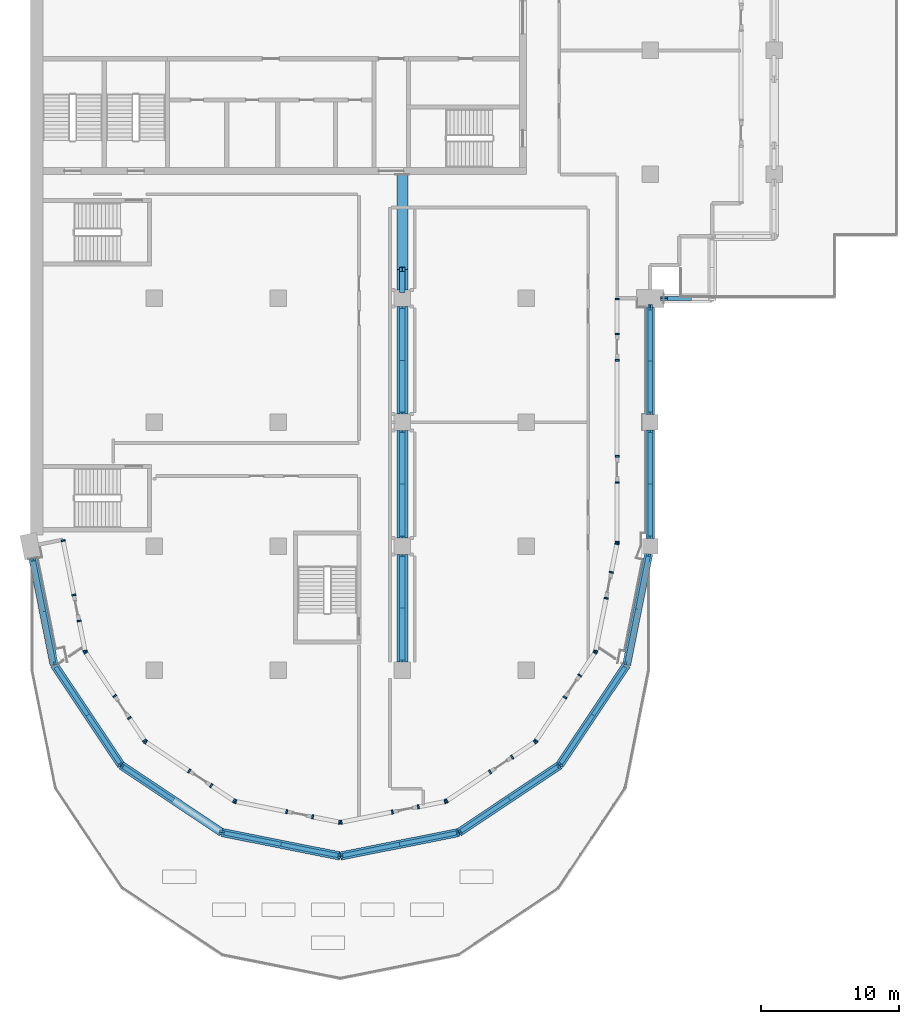
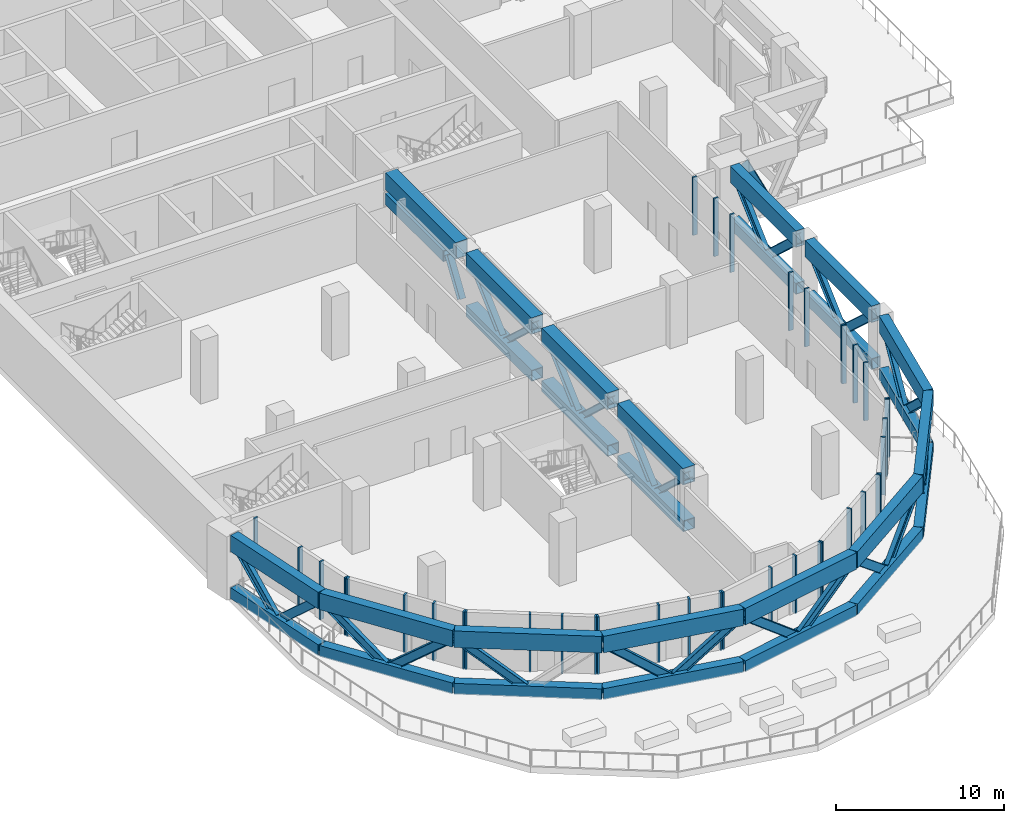
# One storey, part 2 of 20: 93 members.
"""IFC4 building model written with IfcOpenShell, lengths in metres."""

from ifc_helpers import new_model, si_unit, direction, frame, origin, origin_2d, place, context, subcontext, project, spatial, rectangle, hollow_rectangle, i_section, extrude, material, material_profile, profile_set, type_object, element, save


model = new_model("IFC4")

# Units and contexts
model_context = context("Model", 3, precision=1e-05, world=origin(), true_north=direction((0.0, 1.0)))
body_context = subcontext(model_context, "Body", "Model", "MODEL_VIEW")
ifc_project = project(units=[si_unit("LENGTHUNIT", "METRE"), si_unit("AREAUNIT", "SQUARE_METRE"), si_unit("VOLUMEUNIT", "CUBIC_METRE"), si_unit("PLANEANGLEUNIT", "RADIAN"), si_unit("MASSUNIT", "GRAM", prefix="KILO")], contexts=[model_context])

# Site, building, storey
site_placement = place(None, origin())
site = spatial("IfcSite", under=ifc_project, at=site_placement, CompositionType="ELEMENT")
building_placement = place(site_placement, origin())
building = spatial("IfcBuilding", under=site, at=building_placement, Name="Hunhe Ridgeline Campus", CompositionType="ELEMENT")
storey_placement = place(building_placement, frame((0.0, 0.0, 178.199951171875)))
storey = spatial("IfcBuildingStorey", under=building, at=storey_placement, Name="L45", CompositionType="ELEMENT", Elevation=178.199951171875)

# Members
ifc_material_1 = material(Name="Steel Q420", Category="steel")
ifc_material_profile_1 = material_profile(ifc_material_1, hollow_rectangle(XDim=0.60009765625, YDim=0.800048828125, WallThickness=0.035888671875, at=origin_2d()))
ifc_profile_set_1 = profile_set([ifc_material_profile_1], Name="Steel Q420")
member_type_1 = type_object("IfcMemberType", Name="Belt truss bottom chord Box 800x600x36 Steel Q420", PredefinedType="CHORD", material=ifc_profile_set_1)
member_1_placement = place(storey_placement, frame((0.175537109375, 35.1171875, 0.400146484375), z_axis=(0.195091089482, -0.980785127744, 0.0), x_axis=(0.980785127744, 0.195091089482, 0.0)))
element("IfcMember", 1, at=member_1_placement, inside=storey, type_object=member_type_1, Name="Belt truss BT1 bottom chord L45 2", PredefinedType="CHORD", context=body_context, shape_type="SweptSolid", body=[
    extrude(hollow_rectangle(XDim=0.60009765625, YDim=0.800048828125, WallThickness=0.035888671875, at=origin_2d()), origin(), (0.0, 0.0, 1.0), 7.87890625),
])
for number, where, z_axis, x_axis, name in (
    (2, (1.712646484375, 27.3896484375, 0.400146484375), (0.555572672849, -0.831467982056, 0.0), (0.831467982056, 0.555572672849, 0.0), "Belt truss BT1 bottom chord L45 6"),
    (3, (6.590087890625, 20.090087890625, 0.400146484375), (0.831467982056, -0.555572672849, 0.0), (0.555572672849, 0.831467982056, 0.0), "Belt truss BT1 bottom chord L45 10"),
    (4, (13.8896484375, 15.212646484375, 0.400146484375), (0.980786564756, -0.195083865027, 0.0), (0.195083865027, 0.980786564756, 0.0), "Belt truss BT1 bottom chord L45 14"),
    (5, (22.5, 13.5, 0.400146484375), (0.980786564756, 0.195083865027, 0.0), (-0.195083865027, 0.980786564756, 0.0), "Belt truss BT1 bottom chord L45 18"),
    (6, (31.1103515625, 15.212646484375, 0.400146484375), (0.831467982056, 0.555572672849, 0.0), (-0.555572672849, 0.831467982056, 0.0), "Belt truss BT1 bottom chord L45 22"),
    (7, (38.409912109375, 20.090087890625, 0.400146484375), (0.555572672849, 0.831467982056, 0.0), (-0.831467982056, 0.555572672849, 0.0), "Belt truss BT1 bottom chord L45 26"),
):
    element("IfcMember", number, at=place(storey_placement, frame(where, z_axis=z_axis, x_axis=x_axis)), inside=storey, type_object=member_type_1, Name=name, PredefinedType="CHORD", context=body_context, shape_type="SweptSolid", body=[
        extrude(hollow_rectangle(XDim=0.60009765625, YDim=0.800048828125, WallThickness=0.035888671875, at=origin_2d()), origin(), (0.0, 0.0, 1.0), 8.779052734375),
    ])
member_2_placement = place(storey_placement, frame((43.287353515625, 27.3896484375, 0.400146484375), z_axis=(0.195087698424, 0.980785802264, 0.0), x_axis=(-0.980785802264, 0.195087698424, 0.0)))
element("IfcMember", 8, at=member_2_placement, inside=storey, type_object=member_type_1, Name="Belt truss BT1 bottom chord L45 30", PredefinedType="CHORD", context=body_context, shape_type="SweptSolid", body=[
    extrude(hollow_rectangle(XDim=0.60009765625, YDim=0.800048828125, WallThickness=0.035888671875, at=origin_2d()), origin(), (0.0, 0.0, 1.0), 8.21826171875),
])
member_3_placement = place(storey_placement, frame((45.0, 36.550048828125, 0.400146484375), z_axis=(0.0, 1.0, 0.0), x_axis=(-1.0, 0.0, 0.0)))
element("IfcMember", 9, at=member_3_placement, inside=storey, type_object=member_type_1, Name="Belt truss BT1 bottom chord L45 34", PredefinedType="CHORD", context=body_context, shape_type="SweptSolid", body=[
    extrude(hollow_rectangle(XDim=0.60009765625, YDim=0.800048828125, WallThickness=0.035888671875, at=origin_2d()), origin(), (0.0, 0.0, 1.0), 7.89990234375),
])
member_4_placement = place(storey_placement, frame((45.0, 45.550048828125, 0.400146484375), z_axis=(0.0, 1.0, 0.0), x_axis=(-1.0, 0.0, 0.0)))
element("IfcMember", 10, at=member_4_placement, inside=storey, type_object=member_type_1, Name="Belt truss BT1 bottom chord L45 38", PredefinedType="CHORD", context=body_context, shape_type="SweptSolid", body=[
    extrude(hollow_rectangle(XDim=0.60009765625, YDim=0.800048828125, WallThickness=0.035888671875, at=origin_2d()), origin(), (0.0, 0.0, 1.0), 7.800048828125),
])
ifc_material_profile_2 = material_profile(ifc_material_1, i_section(OverallWidth=0.300048828125, OverallDepth=0.58203125, WebThickness=0.011962890625, FlangeThickness=0.01708984375, FilletRadius=0.012939453125, at=origin_2d()))
ifc_profile_set_2 = profile_set([ifc_material_profile_2], Name="Steel Q420")
member_type_2 = type_object("IfcMemberType", Name="Belt truss diagonal HM582x300x12x17 Steel Q420", PredefinedType="BRACE", material=ifc_profile_set_2)
for number, where, z_axis, x_axis, name in (
    (11, (0.175537109375, 35.1171875, 4.0), (0.144018228989, -0.724025569243, -0.674570770788), (0.980785127744, 0.195091089482, 0.0), "Belt truss BT1 diagonal L45 3"),
    (12, (0.944091796875, 31.25341796875, 0.400146484375), (0.144018228989, -0.724025569243, 0.674570770788), (0.980785127744, 0.195091089482, 0.0), "Belt truss BT1 diagonal L45 4"),
):
    element("IfcMember", number, at=place(storey_placement, frame(where, z_axis=z_axis, x_axis=x_axis)), inside=storey, type_object=member_type_2, Name=name, PredefinedType="BRACE", context=body_context, shape_type="SweptSolid", body=[
        extrude(i_section(OverallWidth=0.300048828125, OverallDepth=0.58203125, WebThickness=0.011962890625, FlangeThickness=0.01708984375, FilletRadius=0.012939453125, at=origin_2d()), origin(), (0.0, 0.0, 1.0), 5.33642578125),
    ])
member_5_placement = place(storey_placement, frame((1.712646484375, 27.3896484375, 4.0), z_axis=(0.429580712233, -0.642930388216, -0.634114285903), x_axis=(0.831476565381, 0.555559826862, 0.0)))
element("IfcMember", 13, at=member_5_placement, inside=storey, type_object=member_type_2, Name="Belt truss BT1 diagonal L45 7", PredefinedType="BRACE", context=body_context, shape_type="SweptSolid", body=[
    extrude(i_section(OverallWidth=0.300048828125, OverallDepth=0.58203125, WebThickness=0.011962890625, FlangeThickness=0.01708984375, FilletRadius=0.012939453125, at=origin_2d()), origin(), (0.0, 0.0, 1.0), 5.677001953125),
])
for number, where, z_axis, x_axis, name in (
    (14, (4.1513671875, 23.73974609375, 0.400146484375), (0.429592590005, -0.642905158473, 0.634131818963), (0.831459398135, 0.555585519297, 0.0), "Belt truss BT1 diagonal L45 8"),
    (15, (6.590087890625, 20.090087890625, 4.0), (0.642905158473, -0.429592590005, -0.634131818963), (0.555585519297, 0.831459398135, 0.0), "Belt truss BT1 diagonal L45 11"),
    (16, (13.8896484375, 15.212646484375, 4.0), (0.758374784985, -0.150823430359, -0.634129307282), (0.195057113645, 0.980791885375, 0.0), "Belt truss BT1 diagonal L45 15"),
):
    element("IfcMember", number, at=place(storey_placement, frame(where, z_axis=z_axis, x_axis=x_axis)), inside=storey, type_object=member_type_2, Name=name, PredefinedType="BRACE", context=body_context, shape_type="SweptSolid", body=[
        extrude(i_section(OverallWidth=0.300048828125, OverallDepth=0.58203125, WebThickness=0.011962890625, FlangeThickness=0.01708984375, FilletRadius=0.012939453125, at=origin_2d()), origin(), (0.0, 0.0, 1.0), 5.6767578125),
    ])
for number, where, z_axis, x_axis, name in (
    (17, (18.19482421875, 14.3564453125, 0.400146484375), (0.758369865231, -0.150865458049, 0.634125193537), (0.195110615974, 0.980781243466, 0.0), "Belt truss BT1 diagonal L45 16"),
    (18, (22.5, 13.5, 4.0), (0.758369865231, 0.150865458049, -0.634125193537), (-0.195110615974, 0.980781243466, 0.0), "Belt truss BT1 diagonal L45 19"),
):
    element("IfcMember", number, at=place(storey_placement, frame(where, z_axis=z_axis, x_axis=x_axis)), inside=storey, type_object=member_type_2, Name=name, PredefinedType="BRACE", context=body_context, shape_type="SweptSolid", body=[
        extrude(i_section(OverallWidth=0.300048828125, OverallDepth=0.58203125, WebThickness=0.011962890625, FlangeThickness=0.01708984375, FilletRadius=0.012939453125, at=origin_2d()), origin(), (0.0, 0.0, 1.0), 5.677001953125),
    ])
member_6_placement = place(storey_placement, frame((26.80517578125, 14.3564453125, 0.400146484375), z_axis=(0.758374784985, 0.150823430359, 0.634129307282), x_axis=(-0.195057113645, 0.980791885375, 0.0)))
element("IfcMember", 19, at=member_6_placement, inside=storey, type_object=member_type_2, Name="Belt truss BT1 diagonal L45 20", PredefinedType="BRACE", context=body_context, shape_type="SweptSolid", body=[
    extrude(i_section(OverallWidth=0.300048828125, OverallDepth=0.58203125, WebThickness=0.011962890625, FlangeThickness=0.01708984375, FilletRadius=0.012939453125, at=origin_2d()), origin(), (0.0, 0.0, 1.0), 5.6767578125),
])
member_7_placement = place(storey_placement, frame((31.1103515625, 15.212646484375, 4.0), z_axis=(0.642930388216, 0.429580712233, -0.634114285903), x_axis=(-0.555559826862, 0.831476565381, 0.0)))
element("IfcMember", 20, at=member_7_placement, inside=storey, type_object=member_type_2, Name="Belt truss BT1 diagonal L45 23", PredefinedType="BRACE", context=body_context, shape_type="SweptSolid", body=[
    extrude(i_section(OverallWidth=0.300048828125, OverallDepth=0.58203125, WebThickness=0.011962890625, FlangeThickness=0.01708984375, FilletRadius=0.012939453125, at=origin_2d()), origin(), (0.0, 0.0, 1.0), 5.677001953125),
])
for number, where, z_axis, x_axis, name in (
    (21, (34.76025390625, 17.6513671875, 0.400146484375), (0.642905158473, 0.429592590005, 0.634131818963), (-0.555585519297, 0.831459398135, 0.0), "Belt truss BT1 diagonal L45 24"),
    (22, (38.409912109375, 20.090087890625, 4.0), (0.429592590005, 0.642905158473, -0.634131818963), (-0.831459398135, 0.555585519297, 0.0), "Belt truss BT1 diagonal L45 27"),
):
    element("IfcMember", number, at=place(storey_placement, frame(where, z_axis=z_axis, x_axis=x_axis)), inside=storey, type_object=member_type_2, Name=name, PredefinedType="BRACE", context=body_context, shape_type="SweptSolid", body=[
        extrude(i_section(OverallWidth=0.300048828125, OverallDepth=0.58203125, WebThickness=0.011962890625, FlangeThickness=0.01708984375, FilletRadius=0.012939453125, at=origin_2d()), origin(), (0.0, 0.0, 1.0), 5.6767578125),
    ])
member_8_placement = place(storey_placement, frame((40.8486328125, 23.73974609375, 0.400146484375), z_axis=(0.429580712233, 0.642930388216, 0.634114285903), x_axis=(-0.831476565381, 0.555559826862, 0.0)))
element("IfcMember", 23, at=member_8_placement, inside=storey, type_object=member_type_2, Name="Belt truss BT1 diagonal L45 28", PredefinedType="BRACE", context=body_context, shape_type="SweptSolid", body=[
    extrude(i_section(OverallWidth=0.300048828125, OverallDepth=0.58203125, WebThickness=0.011962890625, FlangeThickness=0.01708984375, FilletRadius=0.012939453125, at=origin_2d()), origin(), (0.0, 0.0, 1.0), 5.677001953125),
])
for number, where, z_axis, x_axis, name in (
    (24, (43.287353515625, 27.3896484375, 4.0), (0.146716505378, 0.737738675232, -0.65895061584), (-0.980792616311, 0.195053438293, 0.0), "Belt truss BT1 diagonal L45 31"),
    (25, (44.0888671875, 31.419921875, 0.400146484375), (0.146765071357, 0.737713469211, 0.658968019841), (-0.980778986703, 0.195121959916, 0.0), "Belt truss BT1 diagonal L45 32"),
):
    element("IfcMember", number, at=place(storey_placement, frame(where, z_axis=z_axis, x_axis=x_axis)), inside=storey, type_object=member_type_2, Name=name, PredefinedType="BRACE", context=body_context, shape_type="SweptSolid", body=[
        extrude(i_section(OverallWidth=0.300048828125, OverallDepth=0.58203125, WebThickness=0.011962890625, FlangeThickness=0.01708984375, FilletRadius=0.012939453125, at=origin_2d()), origin(), (0.0, 0.0, 1.0), 5.462890625),
    ])
for number, where, z_axis, x_axis, name in (
    (26, (45.0, 36.550048828125, 4.0), (0.0, 0.739102326519, -0.673593164257), (-1.0, 0.0, 0.0), "Belt truss BT1 diagonal L45 35"),
    (27, (45.0, 40.5, 0.400146484375), (0.0, 0.739102326519, 0.673593164257), (-1.0, 0.0, 0.0), "Belt truss BT1 diagonal L45 36"),
):
    element("IfcMember", number, at=place(storey_placement, frame(where, z_axis=z_axis, x_axis=x_axis)), inside=storey, type_object=member_type_2, Name=name, PredefinedType="BRACE", context=body_context, shape_type="SweptSolid", body=[
        extrude(i_section(OverallWidth=0.300048828125, OverallDepth=0.58203125, WebThickness=0.011962890625, FlangeThickness=0.01708984375, FilletRadius=0.012939453125, at=origin_2d()), origin(), (0.0, 0.0, 1.0), 5.34423828125),
    ])
member_9_placement = place(storey_placement, frame((45.0, 45.550048828125, 4.0), z_axis=(0.0, 0.734808735374, -0.678274371046), x_axis=(-1.0, 0.0, 0.0)))
element("IfcMember", 28, at=member_9_placement, inside=storey, type_object=member_type_2, Name="Belt truss BT1 diagonal L45 39", PredefinedType="BRACE", context=body_context, shape_type="SweptSolid", body=[
    extrude(i_section(OverallWidth=0.300048828125, OverallDepth=0.58203125, WebThickness=0.011962890625, FlangeThickness=0.01708984375, FilletRadius=0.012939453125, at=origin_2d()), origin(), (0.0, 0.0, 1.0), 5.307373046875),
])
member_10_placement = place(storey_placement, frame((45.0, 49.449951171875, 0.400146484375), z_axis=(0.0, 0.734829897019, 0.678251444854), x_axis=(-1.0, 0.0, 0.0)))
element("IfcMember", 29, at=member_10_placement, inside=storey, type_object=member_type_2, Name="Belt truss BT1 diagonal L45 40", PredefinedType="BRACE", context=body_context, shape_type="SweptSolid", body=[
    extrude(i_section(OverallWidth=0.300048828125, OverallDepth=0.58203125, WebThickness=0.011962890625, FlangeThickness=0.01708984375, FilletRadius=0.012939453125, at=origin_2d()), origin(), (0.0, 0.0, 1.0), 5.3076171875),
])
member_11_placement = place(storey_placement, frame((46.0, 54.0, 4.0), z_axis=(0.437207096483, 0.0, -0.899360859046), x_axis=(0.0, 1.0, 0.0)))
element("IfcMember", 30, at=member_11_placement, inside=storey, type_object=member_type_2, Name="Belt truss BT1 diagonal L45 43", PredefinedType="BRACE", context=body_context, shape_type="SweptSolid", body=[
    extrude(i_section(OverallWidth=0.300048828125, OverallDepth=0.58203125, WebThickness=0.011962890625, FlangeThickness=0.01708984375, FilletRadius=0.012939453125, at=origin_2d()), origin(), (0.0, 0.0, 1.0), 4.002685546875),
])
ifc_material_profile_3 = material_profile(ifc_material_1, hollow_rectangle(XDim=0.60009765625, YDim=1.199951171875, WallThickness=0.035888671875, at=origin_2d()))
ifc_profile_set_3 = profile_set([ifc_material_profile_3], Name="Steel Q420")
member_type_3 = type_object("IfcMemberType", Name="Belt truss top chord Box 1200x600x36 Steel Q420", PredefinedType="CHORD", material=ifc_profile_set_3)
member_12_placement = place(storey_placement, frame((0.175537109375, 35.1171875, 4.0), z_axis=(0.195091089482, -0.980785127744, 0.0), x_axis=(0.980785127744, 0.195091089482, 0.0)))
element("IfcMember", 31, at=member_12_placement, inside=storey, type_object=member_type_3, Name="Belt truss BT1 top chord L45 1", PredefinedType="CHORD", context=body_context, shape_type="SweptSolid", body=[
    extrude(hollow_rectangle(XDim=0.60009765625, YDim=1.199951171875, WallThickness=0.035888671875, at=origin_2d()), origin(), (0.0, 0.0, 1.0), 7.87890625),
])
for number, where, z_axis, x_axis, name in (
    (32, (1.712646484375, 27.3896484375, 4.0), (0.555572672849, -0.831467982056, 0.0), (0.831467982056, 0.555572672849, 0.0), "Belt truss BT1 top chord L45 5"),
    (33, (6.590087890625, 20.090087890625, 4.0), (0.831467982056, -0.555572672849, 0.0), (0.555572672849, 0.831467982056, 0.0), "Belt truss BT1 top chord L45 9"),
    (34, (13.8896484375, 15.212646484375, 4.0), (0.980786564756, -0.195083865027, 0.0), (0.195083865027, 0.980786564756, 0.0), "Belt truss BT1 top chord L45 13"),
    (35, (22.5, 13.5, 4.0), (0.980786564756, 0.195083865027, 0.0), (-0.195083865027, 0.980786564756, 0.0), "Belt truss BT1 top chord L45 17"),
    (36, (31.1103515625, 15.212646484375, 4.0), (0.831467982056, 0.555572672849, 0.0), (-0.555572672849, 0.831467982056, 0.0), "Belt truss BT1 top chord L45 21"),
    (37, (38.409912109375, 20.090087890625, 4.0), (0.555572672849, 0.831467982056, 0.0), (-0.831467982056, 0.555572672849, 0.0), "Belt truss BT1 top chord L45 25"),
):
    element("IfcMember", number, at=place(storey_placement, frame(where, z_axis=z_axis, x_axis=x_axis)), inside=storey, type_object=member_type_3, Name=name, PredefinedType="CHORD", context=body_context, shape_type="SweptSolid", body=[
        extrude(hollow_rectangle(XDim=0.60009765625, YDim=1.199951171875, WallThickness=0.035888671875, at=origin_2d()), origin(), (0.0, 0.0, 1.0), 8.779052734375),
    ])
member_13_placement = place(storey_placement, frame((43.287353515625, 27.3896484375, 4.0), z_axis=(0.195087698424, 0.980785802264, 0.0), x_axis=(-0.980785802264, 0.195087698424, 0.0)))
element("IfcMember", 38, at=member_13_placement, inside=storey, type_object=member_type_3, Name="Belt truss BT1 top chord L45 29", PredefinedType="CHORD", context=body_context, shape_type="SweptSolid", body=[
    extrude(hollow_rectangle(XDim=0.60009765625, YDim=1.199951171875, WallThickness=0.035888671875, at=origin_2d()), origin(), (0.0, 0.0, 1.0), 8.21826171875),
])
member_14_placement = place(storey_placement, frame((45.0, 36.550048828125, 4.0), z_axis=(0.0, 1.0, 0.0), x_axis=(-1.0, 0.0, 0.0)))
element("IfcMember", 39, at=member_14_placement, inside=storey, type_object=member_type_3, Name="Belt truss BT1 top chord L45 33", PredefinedType="CHORD", context=body_context, shape_type="SweptSolid", body=[
    extrude(hollow_rectangle(XDim=0.60009765625, YDim=1.199951171875, WallThickness=0.035888671875, at=origin_2d()), origin(), (0.0, 0.0, 1.0), 7.89990234375),
])
member_15_placement = place(storey_placement, frame((45.0, 45.550048828125, 4.0), z_axis=(0.0, 1.0, 0.0), x_axis=(-1.0, 0.0, 0.0)))
element("IfcMember", 40, at=member_15_placement, inside=storey, type_object=member_type_3, Name="Belt truss BT1 top chord L45 37", PredefinedType="CHORD", context=body_context, shape_type="SweptSolid", body=[
    extrude(hollow_rectangle(XDim=0.60009765625, YDim=1.199951171875, WallThickness=0.035888671875, at=origin_2d()), origin(), (0.0, 0.0, 1.0), 7.800048828125),
])
ifc_material_2 = material(Name="Aluminium 6063", Category="aluminium")
ifc_material_profile_4 = material_profile(ifc_material_2, rectangle(XDim=0.300048828125, YDim=0.1201171875, at=origin_2d()))
ifc_profile_set_4 = profile_set([ifc_material_profile_4], Name="Aluminium 6063")
member_type_4 = type_object("IfcMemberType", Name="Louvre frame jamb 120x300 Aluminium 6063", PredefinedType="USERDEFINED", material=ifc_profile_set_4)
for number, where, z_axis, x_axis, name in (
    (41, (2.366455078125, 36.409912109375, 0.0), (0.0, 0.0, 1.0), (0.980784280831, 0.195095347137, 0.0), "Louvre frame jamb 1a"),
    (42, (3.15283203125, 32.456298828125, 0.0), (0.0, 0.0, 1.0), (0.980784280831, 0.195095347137, 0.0), "Louvre frame jamb 1b"),
    (43, (3.52734375, 30.5732421875, 0.0), (0.0, 0.0, 1.0), (0.980784306597, 0.195095217605, 0.0), "Louvre frame jamb 2a"),
    (44, (3.962646484375, 28.38525390625, 0.0), (0.0, 0.0, 1.0), (0.980784306597, 0.195095217605, 0.0), "Louvre frame jamb 2b"),
    (45, (4.0078125, 28.276611328125, 0.0), (0.0, 0.0, 1.0), (0.83146952548, 0.555570362959, 0.0), "Louvre frame jamb 3a"),
    (46, (6.114501953125, 25.123779296875, 0.0), (0.0, 0.0, 1.0), (0.83146952548, 0.555570362959, 0.0), "Louvre frame jamb 3b"),
    (47, (7.18115234375, 23.52734375, 0.0), (0.0, 0.0, 1.0), (0.831469622629, 0.555570217564, 0.0), "Louvre frame jamb 4a"),
    (48, (8.287841796875, 21.87109375, 0.0), (0.0, 0.0, 1.0), (0.831469622629, 0.555570217564, 0.0), "Louvre frame jamb 4b"),
    (49, (8.37109375, 21.787841796875, 0.0), (0.0, 0.0, 1.0), (0.555570362959, 0.83146952548, 0.0), "Louvre frame jamb 5a"),
    (50, (11.52392578125, 19.68115234375, 0.0), (0.0, 0.0, 1.0), (0.555570362959, 0.83146952548, 0.0), "Louvre frame jamb 5b"),
    (51, (13.120361328125, 18.614501953125, 0.0), (0.0, 0.0, 1.0), (0.555570217564, 0.831469622629, 0.0), "Louvre frame jamb 6a"),
    (52, (14.776611328125, 17.5078125, 0.0), (0.0, 0.0, 1.0), (0.555570217564, 0.831469622629, 0.0), "Louvre frame jamb 6b"),
    (53, (14.88525390625, 17.462646484375, 0.0), (0.0, 0.0, 1.0), (0.195090470497, 0.980785250869, 0.0), "Louvre frame jamb 7a"),
    (54, (18.6044921875, 16.722900390625, 0.0), (0.0, 0.0, 1.0), (0.195090470497, 0.980785250869, 0.0), "Louvre frame jamb 7b"),
    (55, (20.487548828125, 16.348388671875, 0.0), (0.0, 0.0, 1.0), (0.195090359847, 0.980785272878, 0.0), "Louvre frame jamb 8a"),
    (56, (22.441162109375, 15.959716796875, 0.0), (0.0, 0.0, 1.0), (0.195090359847, 0.980785272878, 0.0), "Louvre frame jamb 8b"),
    (57, (22.558837890625, 15.959716796875, 0.0), (0.0, 0.0, 1.0), (-0.195090224598, 0.980785299781, 0.0), "Louvre frame jamb 9a"),
    (58, (26.27783203125, 16.699462890625, 0.0), (0.0, 0.0, 1.0), (-0.195090224598, 0.980785299781, 0.0), "Louvre frame jamb 9b"),
    (59, (28.1611328125, 17.073974609375, 0.0), (0.0, 0.0, 1.0), (-0.195090359847, 0.980785272878, 0.0), "Louvre frame jamb 10a"),
    (60, (30.11474609375, 17.462646484375, 0.0), (0.0, 0.0, 1.0), (-0.195090359847, 0.980785272878, 0.0), "Louvre frame jamb 10b"),
    (61, (30.223388671875, 17.5078125, 0.0), (0.0, 0.0, 1.0), (-0.555570186233, 0.831469643564, 0.0), "Louvre frame jamb 11a"),
    (62, (33.376220703125, 19.614501953125, 0.0), (0.0, 0.0, 1.0), (-0.555570186233, 0.831469643564, 0.0), "Louvre frame jamb 11b"),
    (63, (34.97265625, 20.68115234375, 0.0), (0.0, 0.0, 1.0), (-0.555570217564, 0.831469622629, 0.0), "Louvre frame jamb 12a"),
    (64, (36.62890625, 21.787841796875, 0.0), (0.0, 0.0, 1.0), (-0.555570217564, 0.831469622629, 0.0), "Louvre frame jamb 12b"),
    (65, (36.712158203125, 21.87109375, 0.0), (0.0, 0.0, 1.0), (-0.83146952548, 0.555570362959, 0.0), "Louvre frame jamb 13a"),
    (66, (38.81884765625, 25.02392578125, 0.0), (0.0, 0.0, 1.0), (-0.83146952548, 0.555570362959, 0.0), "Louvre frame jamb 13b"),
    (67, (39.885498046875, 26.620361328125, 0.0), (0.0, 0.0, 1.0), (-0.831469622629, 0.555570217564, 0.0), "Louvre frame jamb 14a"),
    (68, (40.9921875, 28.276611328125, 0.0), (0.0, 0.0, 1.0), (-0.831469622629, 0.555570217564, 0.0), "Louvre frame jamb 14b"),
    (69, (41.037353515625, 28.38525390625, 0.0), (0.0, 0.0, 1.0), (-0.980785308664, 0.195090179937, 0.0), "Louvre frame jamb 15a"),
    (70, (41.800537109375, 32.22265625, 0.0), (0.0, 0.0, 1.0), (-0.980785308664, 0.195090179937, 0.0), "Louvre frame jamb 15b"),
    (71, (42.175048828125, 34.105712890625, 0.0), (0.0, 0.0, 1.0), (-0.980785273328, 0.195090357587, 0.0), "Louvre frame jamb 16a"),
    (72, (42.58740234375, 36.177734375, 0.0), (0.0, 0.0, 1.0), (-0.980785273328, 0.195090357587, 0.0), "Louvre frame jamb 16b"),
    (73, (42.59912109375, 36.29638671875, 0.0), (0.0, 0.0, 1.0), (-0.999999999979, 6.530062e-06, 0.0), "Louvre frame jamb 17a"),
    (74, (42.59912109375, 40.617431640625, 0.0), (0.0, 0.0, 1.0), (-0.999999999979, 6.530062e-06, 0.0), "Louvre frame jamb 17b"),
    (75, (42.59912109375, 42.53759765625, 0.0), (0.0, 0.0, 1.0), (-0.999999999978, 6.636545e-06, 0.0), "Louvre frame jamb 18a"),
    (76, (42.59912109375, 49.49951171875, 0.0), (0.0, 0.0, 1.0), (-0.999999999978, 6.636545e-06, 0.0), "Louvre frame jamb 18b"),
    (77, (42.59912109375, 51.41943359375, 0.0), (0.0, 0.0, 1.0), (-0.999999999977, 6.815598e-06, 0.0), "Louvre frame jamb 19a"),
    (78, (42.59912109375, 53.9404296875, 0.0), (0.0, 0.0, 1.0), (-0.999999999977, 6.815598e-06, 0.0), "Louvre frame jamb 19b"),
):
    element("IfcMember", number, at=place(storey_placement, frame(where, z_axis=z_axis, x_axis=x_axis)), inside=storey, type_object=member_type_4, Name=name, ObjectType="LOUVRE FRAME", PredefinedType="USERDEFINED", context=body_context, shape_type="SweptSolid", body=[
        extrude(rectangle(XDim=0.300048828125, YDim=0.1201171875, at=origin_2d()), origin(), (0.0, 0.0, 1.0), 4.199951171875),
    ])
ifc_material_profile_5 = material_profile(ifc_material_1, hollow_rectangle(XDim=0.800048828125, YDim=0.800048828125, WallThickness=0.044921875, at=origin_2d()))
ifc_profile_set_5 = profile_set([ifc_material_profile_5], Name="Steel Q420")
member_type_5 = type_object("IfcMemberType", Name="Outrigger truss bottom chord Box 800x800x45 Steel Q420", PredefinedType="CHORD", material=ifc_profile_set_5)
member_16_placement = place(storey_placement, frame((27.0, 63.0, 2.699951171875), z_axis=(0.0, -1.0, 0.0), x_axis=(1.0, 0.0, 0.0)))
element("IfcMember", 79, at=member_16_placement, inside=storey, type_object=member_type_5, Name="Outrigger truss OR2 bottom chord L45 2", PredefinedType="CHORD", context=body_context, shape_type="SweptSolid", body=[
    extrude(hollow_rectangle(XDim=0.800048828125, YDim=0.800048828125, WallThickness=0.044921875, at=origin_2d()), origin(), (0.0, 0.0, 1.0), 6.89990234375),
])
for number, where, z_axis, x_axis, name in (
    (80, (27.0, 53.39990234375, 0.400146484375), (0.0, -1.0, 0.0), (1.0, 0.0, 0.0), "Outrigger truss OR2 bottom chord L45 5"),
    (81, (27.0, 44.39990234375, 0.400146484375), (0.0, -1.0, 0.0), (1.0, 0.0, 0.0), "Outrigger truss OR2 bottom chord L45 9"),
    (82, (27.0, 35.39990234375, 0.400146484375), (0.0, -1.0, 0.0), (1.0, 0.0, 0.0), "Outrigger truss OR2 bottom chord L45 13"),
):
    element("IfcMember", number, at=place(storey_placement, frame(where, z_axis=z_axis, x_axis=x_axis)), inside=storey, type_object=member_type_5, Name=name, PredefinedType="CHORD", context=body_context, shape_type="SweptSolid", body=[
        extrude(hollow_rectangle(XDim=0.800048828125, YDim=0.800048828125, WallThickness=0.044921875, at=origin_2d()), origin(), (0.0, 0.0, 1.0), 7.7998046875),
    ])
ifc_material_profile_6 = material_profile(ifc_material_1, i_section(OverallWidth=0.39990234375, OverallDepth=0.39990234375, WebThickness=0.012939453125, FlangeThickness=0.02099609375, FilletRadius=0.02197265625, at=origin_2d()))
ifc_profile_set_6 = profile_set([ifc_material_profile_6], Name="Steel Q420")
member_type_6 = type_object("IfcMemberType", Name="Outrigger truss diagonal HW400x400x13x21 Steel Q420", PredefinedType="BRACE", material=ifc_profile_set_6)
member_17_placement = place(storey_placement, frame((27.0, 56.10009765625, 2.699951171875), z_axis=(0.0, -0.546300327661, -0.837589369558), x_axis=(1.0, 0.0, 0.0)))
element("IfcMember", 83, at=member_17_placement, inside=storey, type_object=member_type_6, Name="Outrigger truss OR2 knee brace L45 3", PredefinedType="BRACE", context=body_context, shape_type="SweptSolid", body=[
    extrude(i_section(OverallWidth=0.39990234375, OverallDepth=0.39990234375, WebThickness=0.012939453125, FlangeThickness=0.02099609375, FilletRadius=0.02197265625, at=origin_2d()), origin(), (0.0, 0.0, 1.0), 2.745849609375),
])
for number, where, z_axis, x_axis, name in (
    (84, (27.0, 53.39990234375, 4.0), (0.0, -0.734808735374, -0.678274371046), (1.0, 0.0, 0.0), "Outrigger truss OR2 diagonal L45 6"),
    (85, (27.0, 49.5, 0.400146484375), (0.0, -0.734808735374, 0.678274371046), (1.0, 0.0, 0.0), "Outrigger truss OR2 diagonal L45 7"),
    (86, (27.0, 44.39990234375, 4.0), (0.0, -0.734808735374, -0.678274371046), (1.0, 0.0, 0.0), "Outrigger truss OR2 diagonal L45 10"),
    (87, (27.0, 40.5, 0.400146484375), (0.0, -0.734808735374, 0.678274371046), (1.0, 0.0, 0.0), "Outrigger truss OR2 diagonal L45 11"),
    (88, (27.0, 35.39990234375, 4.0), (0.0, -0.734808735374, -0.678274371046), (1.0, 0.0, 0.0), "Outrigger truss OR2 diagonal L45 14"),
    (89, (27.0, 31.5, 0.400146484375), (0.0, -0.734808735374, 0.678274371046), (1.0, 0.0, 0.0), "Outrigger truss OR2 diagonal L45 15"),
):
    element("IfcMember", number, at=place(storey_placement, frame(where, z_axis=z_axis, x_axis=x_axis)), inside=storey, type_object=member_type_6, Name=name, PredefinedType="BRACE", context=body_context, shape_type="SweptSolid", body=[
        extrude(i_section(OverallWidth=0.39990234375, OverallDepth=0.39990234375, WebThickness=0.012939453125, FlangeThickness=0.02099609375, FilletRadius=0.02197265625, at=origin_2d()), origin(), (0.0, 0.0, 1.0), 5.307373046875),
    ])
ifc_material_profile_7 = material_profile(ifc_material_1, hollow_rectangle(XDim=0.800048828125, YDim=1.199951171875, WallThickness=0.044921875, at=origin_2d()))
ifc_profile_set_7 = profile_set([ifc_material_profile_7], Name="Steel Q420")
member_type_7 = type_object("IfcMemberType", Name="Outrigger truss top chord Box 1200x800x45 Steel Q420", PredefinedType="CHORD", material=ifc_profile_set_7)
member_18_placement = place(storey_placement, frame((27.0, 63.0, 4.0), z_axis=(0.0, -1.0, 0.0), x_axis=(1.0, 0.0, 0.0)))
element("IfcMember", 90, at=member_18_placement, inside=storey, type_object=member_type_7, Name="Outrigger truss OR2 top chord L45 1", PredefinedType="CHORD", context=body_context, shape_type="SweptSolid", body=[
    extrude(hollow_rectangle(XDim=0.800048828125, YDim=1.199951171875, WallThickness=0.044921875, at=origin_2d()), origin(), (0.0, 0.0, 1.0), 8.39990234375),
])
for number, where, z_axis, x_axis, name in (
    (91, (27.0, 53.39990234375, 4.0), (0.0, -1.0, 0.0), (1.0, 0.0, 0.0), "Outrigger truss OR2 top chord L45 4"),
    (92, (27.0, 44.39990234375, 4.0), (0.0, -1.0, 0.0), (1.0, 0.0, 0.0), "Outrigger truss OR2 top chord L45 8"),
    (93, (27.0, 35.39990234375, 4.0), (0.0, -1.0, 0.0), (1.0, 0.0, 0.0), "Outrigger truss OR2 top chord L45 12"),
):
    element("IfcMember", number, at=place(storey_placement, frame(where, z_axis=z_axis, x_axis=x_axis)), inside=storey, type_object=member_type_7, Name=name, PredefinedType="CHORD", context=body_context, shape_type="SweptSolid", body=[
        extrude(hollow_rectangle(XDim=0.800048828125, YDim=1.199951171875, WallThickness=0.044921875, at=origin_2d()), origin(), (0.0, 0.0, 1.0), 7.7998046875),
    ])

save(model, "model.ifc")
